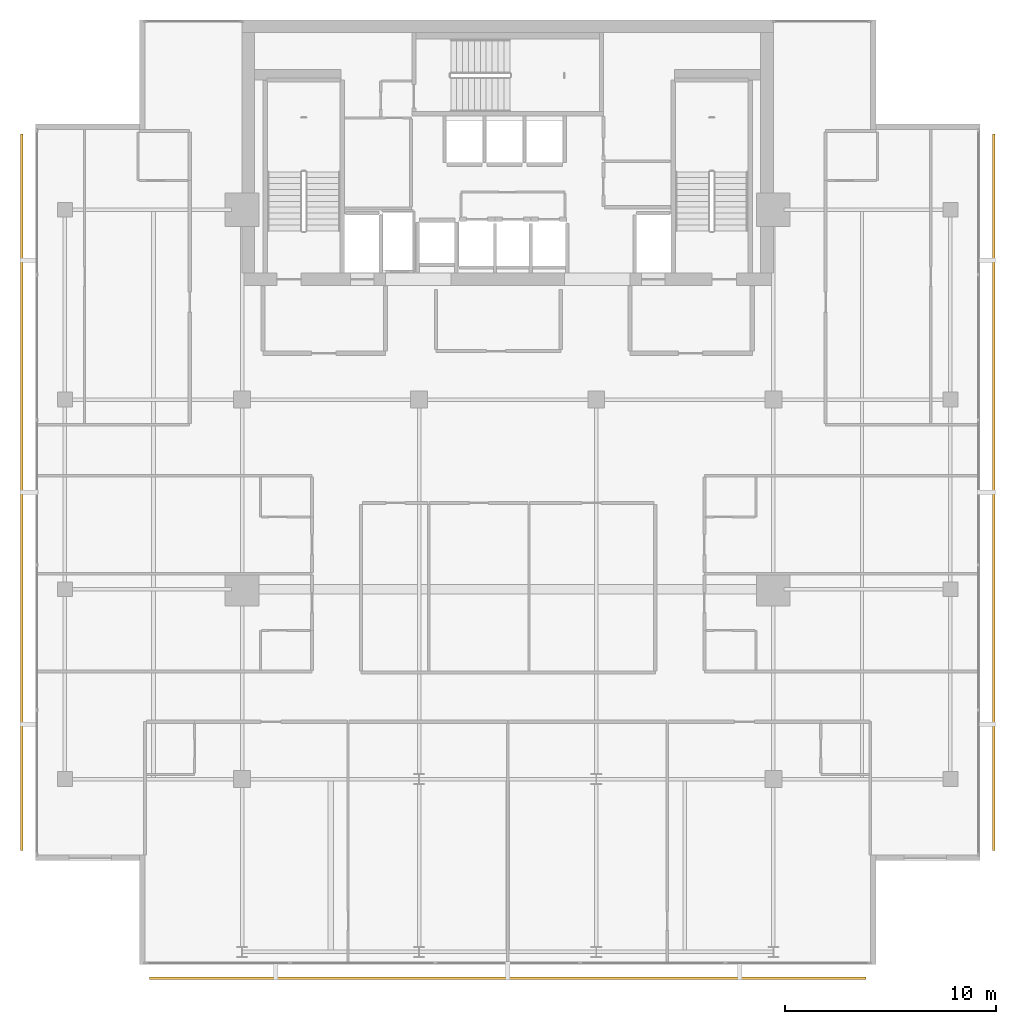
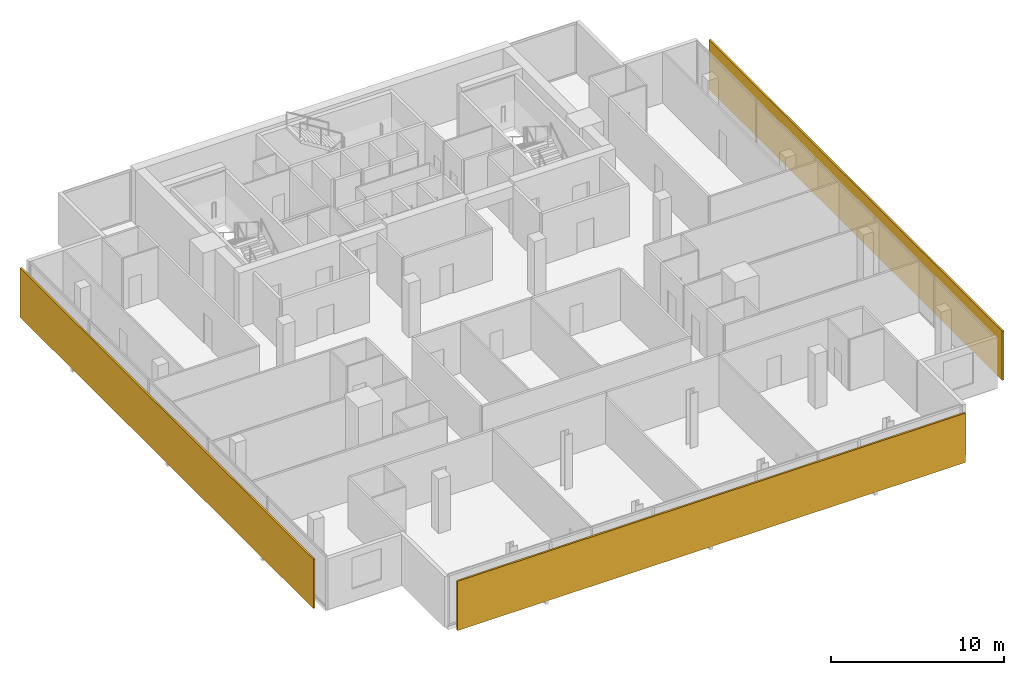
# One storey, part 24 of 25: 3 shading devices.
"""IFC4 building model written with IfcOpenShell, lengths in metres."""

import ifcopenshell
import ifcopenshell.guid

model = None  # the IFC model being written
_history = None  # IfcOwnerHistory: only IFC2X3 demands one
_inside = {}  # id of a spatial element -> (the spatial element, [elements in it])
_under = {}  # id of a project, library or spatial element -> (it, [spatial elements below it])
_declared = {}  # id of a project -> (the project, [libraries it declares])
_typed = {}  # id of a type object -> (the type object, [elements of that type])
_made_of = {}  # id of a material, layer set ... -> (it, [elements and type objects made of it])


def new_model(schema):
    """Start an empty IFC model of exactly this schema.

    Asked for "IFC4X3", IfcOpenShell would pick the latest addendum, in which some entities
    have other attributes; the version numbers below select the first issue.
    IFC2X3 requires an IfcOwnerHistory on every rooted entity: one is made here for all.
    """
    global model, _history
    if schema == "IFC4X3":
        model = ifcopenshell.file(schema_version=(4, 3, 0, 0))
    else:
        model = ifcopenshell.file(schema=schema)
    _inside.clear()
    _under.clear()
    _declared.clear()
    _typed.clear()
    _made_of.clear()
    _history = None
    if model.schema == "IFC2X3":
        org = make("IfcOrganization", Name="unknown")
        user = make(
            "IfcPersonAndOrganization",
            ThePerson=make("IfcPerson", FamilyName="unknown"),
            TheOrganization=org,
        )
        app = make(
            "IfcApplication",
            ApplicationDeveloper=org,
            Version="unknown",
            ApplicationFullName="unknown",
            ApplicationIdentifier="unknown",
        )
        _history = make(
            "IfcOwnerHistory",
            OwningUser=user,
            OwningApplication=app,
            ChangeAction="ADDED",
            CreationDate=0,
        )
    return model


def make(cls, **values):
    """One entity of the class cls with the attributes given. An attribute that is None is left unset."""
    return model.create_entity(
        cls, **{name: value for name, value in values.items() if value is not None}
    )


def rooted(cls, **values):
    """An entity with a GlobalId (a new one), such as an element, a storey or a relation."""
    return make(cls, GlobalId=ifcopenshell.guid.new(), OwnerHistory=_history, **values)


def si_unit(unit_type, name, prefix=None):
    """IfcSIUnit, for example si_unit("LENGTHUNIT", "METRE", prefix="MILLI")."""
    return make("IfcSIUnit", UnitType=unit_type, Prefix=prefix, Name=name)


def assignment(units):
    """IfcUnitAssignment: the units of a project."""
    return None if units is None else make("IfcUnitAssignment", Units=units)


def point(xyz):
    """IfcCartesianPoint."""
    return None if xyz is None else make("IfcCartesianPoint", Coordinates=xyz)


def direction(xyz):
    """IfcDirection."""
    return None if xyz is None else make("IfcDirection", DirectionRatios=xyz)


def frame(location, z_axis=None, x_axis=None):
    """IfcAxis2Placement3D, a coordinate frame: its origin and axes. An axis left out is left unset."""
    return make(
        "IfcAxis2Placement3D",
        Location=point(location),
        Axis=direction(z_axis),
        RefDirection=direction(x_axis),
    )


def frame_2d(location, x_axis=None):
    """IfcAxis2Placement2D, a coordinate frame in the plane: its origin and x axis."""
    return make(
        "IfcAxis2Placement2D", Location=point(location), RefDirection=direction(x_axis)
    )


def origin():
    """The frame at (0, 0, 0) with its axes left unset."""
    return frame((0.0, 0.0, 0.0))


def origin_2d():
    """The frame at (0, 0) in the plane with its x axis left unset."""
    return frame_2d((0.0, 0.0))


def place(relative_to, where):
    """IfcLocalPlacement: puts the frame where relative to a parent placement (None: the world)."""
    return make(
        "IfcLocalPlacement", PlacementRelTo=relative_to, RelativePlacement=where
    )


def context(
    kind, dimensions, precision=None, world=None, true_north=None, identifier=None
):
    """IfcGeometricRepresentationContext, for example the 3D "Model" context."""
    return make(
        "IfcGeometricRepresentationContext",
        ContextIdentifier=identifier,
        ContextType=kind,
        CoordinateSpaceDimension=dimensions,
        Precision=precision,
        WorldCoordinateSystem=world,
        TrueNorth=true_north,
    )


def subcontext(parent, identifier, kind, view, scale=None):
    """IfcGeometricRepresentationSubContext, for example "Body" below "Model"."""
    return make(
        "IfcGeometricRepresentationSubContext",
        ContextIdentifier=identifier,
        ContextType=kind,
        ParentContext=parent,
        TargetScale=scale,
        TargetView=view,
    )


def project(units=None, contexts=None):
    """IfcProject with its units and contexts."""
    return rooted(
        "IfcProject",
        Name="project",
        RepresentationContexts=contexts,
        UnitsInContext=assignment(units),
    )


def spatial(cls, under=None, at=None, **own):
    """A site, building, storey or space (cls), placed at a placement, below another one or the project."""
    s = rooted(cls, ObjectPlacement=at, **own)
    if under is not None:
        _under.setdefault(under.id(), (under, []))[1].append(s)
    return s


def profile(cls, at=None, kind="AREA", **sizes):
    """A parametric profile (cls). Its sizes go by their IFC names, for example OverallWidth=200.0."""
    return make(cls, ProfileType=kind, Position=at, **sizes)


def rectangle(**sizes):
    """IfcRectangleProfileDef."""
    return profile("IfcRectangleProfileDef", **sizes)


def extrude(swept, where, along, depth):
    """IfcExtrudedAreaSolid: the profile swept, set in the frame where, extruded along a direction by depth."""
    return make(
        "IfcExtrudedAreaSolid",
        SweptArea=swept,
        Position=where,
        ExtrudedDirection=direction(along),
        Depth=depth,
    )


def shape(context_of_items, identifier, shape_type, items):
    """IfcShapeRepresentation: the items that make up one representation, for example the "Body"."""
    return make(
        "IfcShapeRepresentation",
        ContextOfItems=context_of_items,
        RepresentationIdentifier=identifier,
        RepresentationType=shape_type,
        Items=items,
    )


def material(Name=None, Category=None):
    """IfcMaterial."""
    return make("IfcMaterial", Name=Name, Category=Category)


def layer(
    of_material, thickness, ventilated=None, Name=None, Category=None, Priority=None
):
    """IfcMaterialLayer: one layer of a wall or slab, of a material (None: an air gap)."""
    return make(
        "IfcMaterialLayer",
        Material=of_material,
        LayerThickness=thickness,
        IsVentilated=ventilated,
        Name=Name,
        Category=Category,
        Priority=Priority,
    )


def layer_set(layers, Name=None):
    """IfcMaterialLayerSet."""
    return make("IfcMaterialLayerSet", MaterialLayers=layers, LayerSetName=Name)


def made_of(thing, what):
    """Note that an element or type object is made of a material, layer set ...; save() writes the relation."""
    if what is not None:
        _made_of.setdefault(what.id(), (what, []))[1].append(thing)
    return thing


def type_object(cls, material=None, **own):
    """A type object (cls), such as IfcWallType, which elements share."""
    return made_of(rooted(cls, **own), material)


def element(
    cls,
    number,
    at=None,
    inside=None,
    cuts=None,
    type_object=None,
    material=None,
    context=None,
    identifier="Body",
    shape_type=None,
    held_by="IfcProductDefinitionShape",
    body=None,
    shapes=None,
    **own,
):
    """One element of the class cls, such as IfcWall. Its Tag is "e" and its number.

    at: its placement. inside: the storey or other place that contains it. cuts: it is an
    opening in that element (IfcRelVoidsElement). A single representation is given by context,
    identifier, shape_type and body (its items); several are given by shapes. held_by: the class
    of the entity that holds the representations. save() writes the other relations.
    """
    e = rooted(cls, Tag="e%d" % number, ObjectPlacement=at, **own)
    if body is not None:
        shapes = [shape(context, identifier, shape_type, body)]
    if shapes is not None:
        e.Representation = make(held_by, Representations=shapes)
    if inside is not None:
        _inside.setdefault(inside.id(), (inside, []))[1].append(e)
    if cuts is not None:
        rooted(
            "IfcRelVoidsElement", RelatingBuildingElement=cuts, RelatedOpeningElement=e
        )
    if type_object is not None:
        _typed.setdefault(type_object.id(), (type_object, []))[1].append(e)
    return made_of(e, material)


def aggregate(whole, parts):
    """IfcRelAggregates: a whole, such as a stair, and the parts it consists of."""
    return rooted("IfcRelAggregates", RelatingObject=whole, RelatedObjects=parts)


def save(model, path):
    """Write the relations noted so far, then the file.

    IfcRelAggregates (storeys below a building ...), IfcRelContainedInSpatialStructure (elements
    in a storey), IfcRelDefinesByType, IfcRelAssociatesMaterial and IfcRelDeclares: one each for
    every whole, place, type object, material and project.
    """
    for whole, parts in _under.values():
        aggregate(whole, parts)
    for where, things in _inside.values():
        rooted(
            "IfcRelContainedInSpatialStructure",
            RelatedElements=things,
            RelatingStructure=where,
        )
    for kind, things in _typed.values():
        rooted("IfcRelDefinesByType", RelatedObjects=things, RelatingType=kind)
    for what, things in _made_of.values():
        rooted("IfcRelAssociatesMaterial", RelatedObjects=things, RelatingMaterial=what)
    for by, libraries in _declared.values():
        rooted("IfcRelDeclares", RelatingContext=by, RelatedDefinitions=libraries)
    model.write(path)


model = new_model("IFC4")

# Units and contexts
model_context = context("Model", 3, precision=1e-05, world=origin(), true_north=direction((0.0, 1.0)))
body_context = subcontext(model_context, "Body", "Model", "MODEL_VIEW")
ifc_project = project(units=[si_unit("LENGTHUNIT", "METRE"), si_unit("AREAUNIT", "SQUARE_METRE"), si_unit("VOLUMEUNIT", "CUBIC_METRE"), si_unit("PLANEANGLEUNIT", "RADIAN"), si_unit("MASSUNIT", "GRAM", prefix="KILO")], contexts=[model_context])

# Site, building, storey
site_placement = place(None, origin())
site = spatial("IfcSite", under=ifc_project, at=site_placement, CompositionType="ELEMENT")
building_placement = place(site_placement, origin())
building = spatial("IfcBuilding", under=site, at=building_placement, Name="Maruvema Waterfront Hotel and Observation Tower", CompositionType="ELEMENT")
storey_placement = place(building_placement, frame((0.0, 0.0, 281.75)))
storey = spatial("IfcBuildingStorey", under=building, at=storey_placement, Name="L69", CompositionType="ELEMENT", Elevation=281.75)

# Shading devices
ifc_material = material(Name="Honed travertine stone and anodised architectural bronze", Category="masonry")
ifc_layer = layer(ifc_material, 0.1201171875, Name="Ventilated Outer Skin Cobogo Stone-and-Bronze Screen 120 mm")
ifc_layer_set = layer_set([ifc_layer], Name="Honed travertine stone and anodised architectural bronze")
shading_device_type = type_object("IfcShadingDeviceType", Name="Ventilated Outer Skin Cobogo Stone-and-Bronze Screen 120 mm", PredefinedType="USERDEFINED", material=ifc_layer_set)
for number, where, z_axis, x_axis, name in (
    (1, (37.800048828125, 8.550048828125, 0.06005859375), (0.0, 0.0, 1.0), (1.0, 0.0, 0.0), "L69 Ventilated Double-Skin Outer Cobogo Screen OS-L69-S"),
    (2, (60.85009765625, 31.60009765625, 0.06005859375), (0.0, 0.0, 1.0), (0.0, 1.0, 0.0), "L69 Ventilated Double-Skin Outer Cobogo Screen OS-L69-E"),
    (3, (14.75, 31.60009765625, 0.06005859375), (0.0, 0.0, 1.0), (0.0, -1.0, 0.0), "L69 Ventilated Double-Skin Outer Cobogo Screen OS-L69-W"),
):
    element("IfcShadingDevice", number, at=place(storey_placement, frame(where, z_axis=z_axis, x_axis=x_axis)), inside=storey, type_object=shading_device_type, Name=name, ObjectType="OUTER SKIN SCREEN", PredefinedType="USERDEFINED", context=body_context, shape_type="SweptSolid", body=[
        extrude(rectangle(XDim=34.0, YDim=0.1201171875, at=origin_2d()), origin(), (0.0, 0.0, 1.0), 3.489990234375),
    ])

save(model, "model.ifc")
